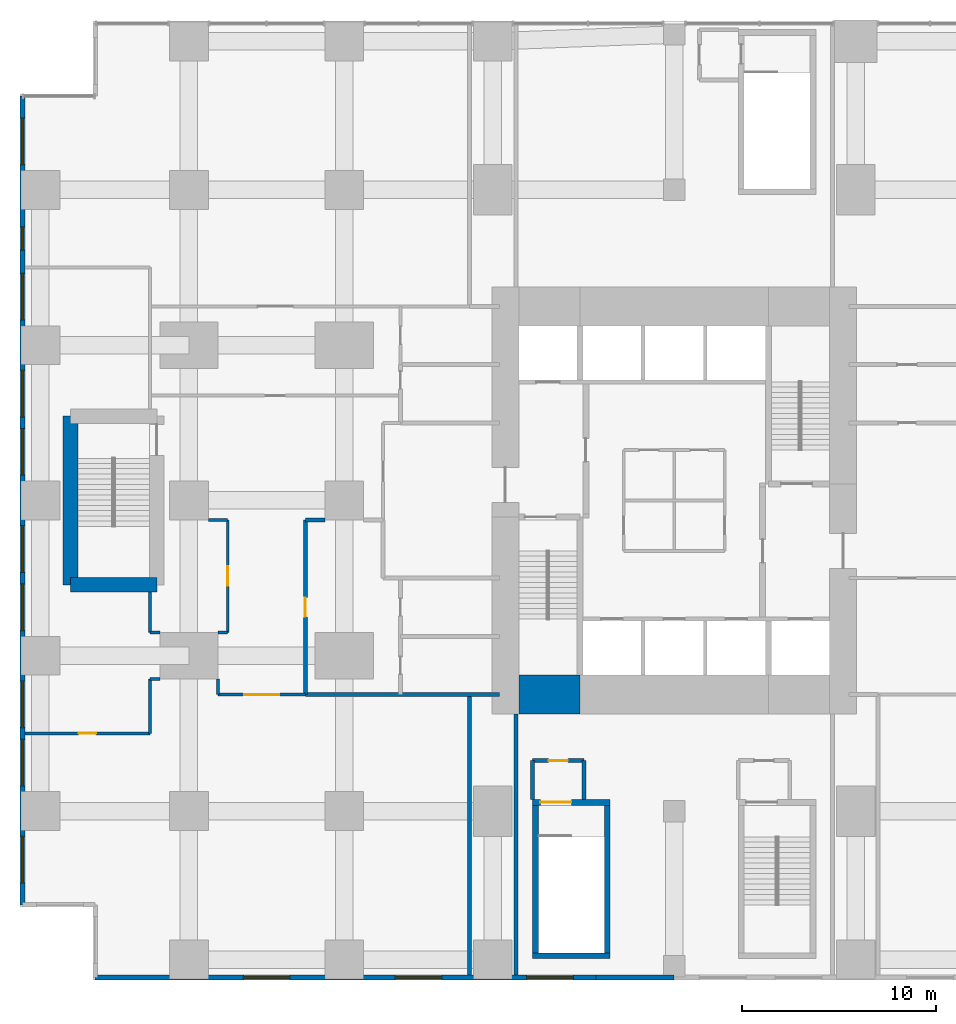
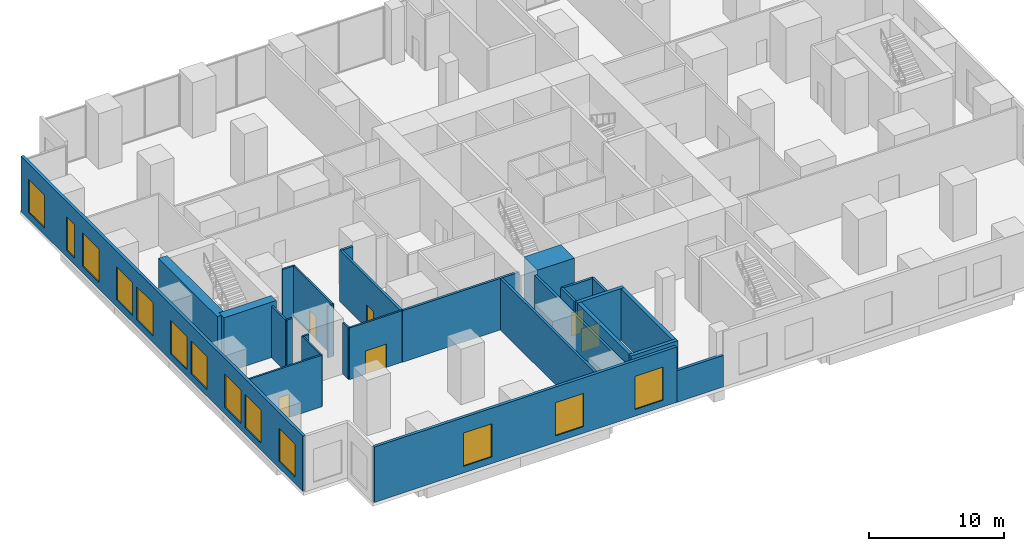
# One storey, part 6 of 11: 28 walls, 13 windows, 6 doors, 19 openings.
"""IFC4 building model written with IfcOpenShell, lengths in metres."""

from ifc_helpers import new_model, si_unit, direction, frame, frame_2d, origin, place, context, subcontext, project, spatial, rectangle, extrude, material, layer, layer_set, type_object, element, fill, save


model = new_model("IFC4")

# Units and contexts
model_context = context("Model", 3, precision=1e-05, world=origin(), true_north=direction((0.0, 1.0)))
body_context = subcontext(model_context, "Body", "Model", "MODEL_VIEW")
ifc_project = project(units=[si_unit("LENGTHUNIT", "METRE"), si_unit("AREAUNIT", "SQUARE_METRE"), si_unit("VOLUMEUNIT", "CUBIC_METRE"), si_unit("PLANEANGLEUNIT", "RADIAN"), si_unit("MASSUNIT", "GRAM", prefix="KILO")], contexts=[model_context])

# Site, building, storey
site_placement = place(None, origin())
site = spatial("IfcSite", under=ifc_project, at=site_placement, CompositionType="ELEMENT")
building_placement = place(site_placement, origin())
building = spatial("IfcBuilding", under=site, at=building_placement, Name="Cleftline Residences", CompositionType="ELEMENT")
storey_placement = place(building_placement, frame((0.0, 0.0, 21.0)))
storey = spatial("IfcBuildingStorey", under=building, at=storey_placement, Name="L04", CompositionType="ELEMENT", Elevation=21.0)

# Wall
ifc_material_1 = material(Name="Concrete B70", Category="concrete")
ifc_layer_1 = layer(ifc_material_1, 2.0)
ifc_layer_set_1 = layer_set([ifc_layer_1], Name="CORE WALL 2000")
wall_type_1 = type_object("IfcWallType", Name="CORE WALL 2000", PredefinedType="SHEAR", material=ifc_layer_set_1)
wall_1_placement = place(storey_placement, frame((25.0, 14.0, 0.0), z_axis=(0.0, 0.0, 1.0), x_axis=(1.0, 0.0, 0.0)))
element("IfcWall", 1, at=wall_1_placement, inside=storey, type_object=wall_type_1, Name="Core wall S1", PredefinedType="SHEAR", context=body_context, shape_type="SweptSolid", body=[
    extrude(rectangle(XDim=3.14990234375, YDim=2.0, at=frame_2d((1.574951171875, 0.0))), origin(), (0.0, 0.0, 1.0), 5.0),
])

# Wall, openings, windows
ifc_material_2 = material(Name="Rendered reinforced concrete blockwork", Category="masonry")
ifc_layer_2 = layer(ifc_material_2, 0.25)
ifc_layer_set_2 = layer_set([ifc_layer_2], Name="EXTERNAL WALL 250")
wall_type_2 = type_object("IfcWallType", Name="EXTERNAL WALL 250", PredefinedType="SOLIDWALL", material=ifc_layer_set_2)
wall_2_placement = place(storey_placement, frame((-0.574951171875, 44.824951171875, 0.0), z_axis=(0.0, 0.0, 1.0), x_axis=(0.0, -1.0, 0.0)))
wall_2 = element("IfcWall", 2, at=wall_2_placement, inside=storey, type_object=wall_type_2, Name="External wall", PredefinedType="SOLIDWALL", context=body_context, shape_type="SweptSolid", body=[
    extrude(rectangle(XDim=41.64990234375, YDim=0.25, at=frame_2d((20.824951171875, 0.0))), origin(), (0.0, 0.0, 1.0), 5.0),
])
opening_1_placement = place(wall_2_placement, frame((6.72509765625, 0.0, 0.60009765625)))
opening_1 = element("IfcOpeningElement", 3, at=opening_1_placement, cuts=wall_2, Name="Opening W5", PredefinedType="OPENING", context=body_context, shape_type="SweptSolid", body=[
    extrude(rectangle(XDim=1.199951171875, YDim=3.0, at=frame_2d((0.60009765625, 1.5))), frame((0.0, 0.135009765625, 0.0), z_axis=(0.0, -1.0, 0.0), x_axis=(1.0, 0.0, 0.0)), (0.0, 0.0, 1.0), 0.27001953125),
])
opening_2_placement = place(wall_2_placement, frame((1.125, 0.0, 0.60009765625)))
opening_2 = element("IfcOpeningElement", 4, at=opening_2_placement, cuts=wall_2, Name="Opening W3", PredefinedType="OPENING", context=body_context, shape_type="SweptSolid", body=[
    extrude(rectangle(XDim=2.39990234375, YDim=3.0, at=frame_2d((1.199951171875, 1.5))), frame((0.0, 0.135009765625, 0.0), z_axis=(0.0, -1.0, 0.0), x_axis=(1.0, 0.0, 0.0)), (0.0, 0.0, 1.0), 0.27001953125),
])
opening_3_placement = place(wall_2_placement, frame((9.125, 0.0, 0.60009765625)))
opening_3 = element("IfcOpeningElement", 5, at=opening_3_placement, cuts=wall_2, Name="Opening W3", PredefinedType="OPENING", context=body_context, shape_type="SweptSolid", body=[
    extrude(rectangle(XDim=2.39990234375, YDim=3.0, at=frame_2d((1.199951171875, 1.5))), frame((0.0, 0.135009765625, 0.0), z_axis=(0.0, -1.0, 0.0), x_axis=(1.0, 0.0, 0.0)), (0.0, 0.0, 1.0), 0.27001953125),
])
opening_4_placement = place(wall_2_placement, frame((14.125, 0.0, 0.60009765625)))
opening_4 = element("IfcOpeningElement", 6, at=opening_4_placement, cuts=wall_2, Name="Opening W3", PredefinedType="OPENING", context=body_context, shape_type="SweptSolid", body=[
    extrude(rectangle(XDim=2.39990234375, YDim=3.0, at=frame_2d((1.199951171875, 1.5))), frame((0.0, 0.135009765625, 0.0), z_axis=(0.0, -1.0, 0.0), x_axis=(1.0, 0.0, 0.0)), (0.0, 0.0, 1.0), 0.27001953125),
])
opening_5_placement = place(wall_2_placement, frame((17.125, 0.0, 0.60009765625)))
opening_5 = element("IfcOpeningElement", 7, at=opening_5_placement, cuts=wall_2, Name="Opening W3", PredefinedType="OPENING", context=body_context, shape_type="SweptSolid", body=[
    extrude(rectangle(XDim=2.39990234375, YDim=3.0, at=frame_2d((1.199951171875, 1.5))), frame((0.0, 0.135009765625, 0.0), z_axis=(0.0, -1.0, 0.0), x_axis=(1.0, 0.0, 0.0)), (0.0, 0.0, 1.0), 0.27001953125),
])
opening_6_placement = place(wall_2_placement, frame((22.125, 0.0, 0.60009765625)))
opening_6 = element("IfcOpeningElement", 8, at=opening_6_placement, cuts=wall_2, Name="Opening W3", PredefinedType="OPENING", context=body_context, shape_type="SweptSolid", body=[
    extrude(rectangle(XDim=2.39990234375, YDim=3.0, at=frame_2d((1.199951171875, 1.5))), frame((0.0, 0.135009765625, 0.0), z_axis=(0.0, -1.0, 0.0), x_axis=(1.0, 0.0, 0.0)), (0.0, 0.0, 1.0), 0.27001953125),
])
opening_7_placement = place(wall_2_placement, frame((25.125, 0.0, 0.60009765625)))
opening_7 = element("IfcOpeningElement", 9, at=opening_7_placement, cuts=wall_2, Name="Opening W3", PredefinedType="OPENING", context=body_context, shape_type="SweptSolid", body=[
    extrude(rectangle(XDim=2.39990234375, YDim=3.0, at=frame_2d((1.199951171875, 1.5))), frame((0.0, 0.135009765625, 0.0), z_axis=(0.0, -1.0, 0.0), x_axis=(1.0, 0.0, 0.0)), (0.0, 0.0, 1.0), 0.27001953125),
])
opening_8_placement = place(wall_2_placement, frame((30.125, 0.0, 0.60009765625)))
opening_8 = element("IfcOpeningElement", 10, at=opening_8_placement, cuts=wall_2, Name="Opening W3", PredefinedType="OPENING", context=body_context, shape_type="SweptSolid", body=[
    extrude(rectangle(XDim=2.39990234375, YDim=3.0, at=frame_2d((1.199951171875, 1.5))), frame((0.0, 0.135009765625, 0.0), z_axis=(0.0, -1.0, 0.0), x_axis=(1.0, 0.0, 0.0)), (0.0, 0.0, 1.0), 0.27001953125),
])
opening_9_placement = place(wall_2_placement, frame((33.125, 0.0, 0.60009765625)))
opening_9 = element("IfcOpeningElement", 11, at=opening_9_placement, cuts=wall_2, Name="Opening W3", PredefinedType="OPENING", context=body_context, shape_type="SweptSolid", body=[
    extrude(rectangle(XDim=2.39990234375, YDim=3.0, at=frame_2d((1.199951171875, 1.5))), frame((0.0, 0.135009765625, 0.0), z_axis=(0.0, -1.0, 0.0), x_axis=(1.0, 0.0, 0.0)), (0.0, 0.0, 1.0), 0.27001953125),
])
opening_10_placement = place(wall_2_placement, frame((38.125, 0.0, 0.60009765625)))
opening_10 = element("IfcOpeningElement", 12, at=opening_10_placement, cuts=wall_2, Name="Opening W3", PredefinedType="OPENING", context=body_context, shape_type="SweptSolid", body=[
    extrude(rectangle(XDim=2.39990234375, YDim=3.0, at=frame_2d((1.199951171875, 1.5))), frame((0.0, 0.135009765625, 0.0), z_axis=(0.0, -1.0, 0.0), x_axis=(1.0, 0.0, 0.0)), (0.0, 0.0, 1.0), 0.27001953125),
])
ifc_material_3 = material(Name="Aluminium frame, clear double glazing", Category="aluminium")
window_type_1 = type_object("IfcWindowType", Name="WINDOW 1200X3000", PartitioningType="DOUBLE_PANEL_VERTICAL", PredefinedType="WINDOW", material=ifc_material_3)
window_1_placement = place(opening_1_placement, origin())
window_1 = element("IfcWindow", 13, at=window_1_placement, inside=storey, type_object=window_type_1, Name="Window", OverallHeight=3.0, OverallWidth=1.199951171875, PartitioningType="SINGLE_PANEL", PredefinedType="WINDOW", context=body_context, shape_type="SweptSolid", body=[
    extrude(rectangle(XDim=1.199951171875, YDim=3.0, at=frame_2d((0.60009765625, 1.5))), frame((0.0, 0.030029296875, 0.0), z_axis=(0.0, -1.0, 0.0), x_axis=(1.0, 0.0, 0.0)), (0.0, 0.0, 1.0), 0.06005859375),
])
fill(opening_1, window_1)
ifc_material_4 = material(Name="Aluminium frame, clear double glazing", Category="aluminium")
window_type_2 = type_object("IfcWindowType", Name="WINDOW 2400X3000", PartitioningType="DOUBLE_PANEL_VERTICAL", PredefinedType="WINDOW", material=ifc_material_4)
window_2_placement = place(opening_2_placement, origin())
window_2 = element("IfcWindow", 14, at=window_2_placement, inside=storey, type_object=window_type_2, Name="Window", OverallHeight=3.0, OverallWidth=2.39990234375, PartitioningType="SINGLE_PANEL", PredefinedType="WINDOW", context=body_context, shape_type="SweptSolid", body=[
    extrude(rectangle(XDim=2.39990234375, YDim=3.0, at=frame_2d((1.199951171875, 1.5))), frame((0.0, 0.030029296875, 0.0), z_axis=(0.0, -1.0, 0.0), x_axis=(1.0, 0.0, 0.0)), (0.0, 0.0, 1.0), 0.06005859375),
])
fill(opening_2, window_2)
window_3_placement = place(opening_3_placement, origin())
window_3 = element("IfcWindow", 15, at=window_3_placement, inside=storey, type_object=window_type_2, Name="Window", OverallHeight=3.0, OverallWidth=2.39990234375, PartitioningType="SINGLE_PANEL", PredefinedType="WINDOW", context=body_context, shape_type="SweptSolid", body=[
    extrude(rectangle(XDim=2.39990234375, YDim=3.0, at=frame_2d((1.199951171875, 1.5))), frame((0.0, 0.030029296875, 0.0), z_axis=(0.0, -1.0, 0.0), x_axis=(1.0, 0.0, 0.0)), (0.0, 0.0, 1.0), 0.06005859375),
])
fill(opening_3, window_3)
window_4_placement = place(opening_4_placement, origin())
window_4 = element("IfcWindow", 16, at=window_4_placement, inside=storey, type_object=window_type_2, Name="Window", OverallHeight=3.0, OverallWidth=2.39990234375, PartitioningType="SINGLE_PANEL", PredefinedType="WINDOW", context=body_context, shape_type="SweptSolid", body=[
    extrude(rectangle(XDim=2.39990234375, YDim=3.0, at=frame_2d((1.199951171875, 1.5))), frame((0.0, 0.030029296875, 0.0), z_axis=(0.0, -1.0, 0.0), x_axis=(1.0, 0.0, 0.0)), (0.0, 0.0, 1.0), 0.06005859375),
])
fill(opening_4, window_4)
window_5_placement = place(opening_5_placement, origin())
window_5 = element("IfcWindow", 17, at=window_5_placement, inside=storey, type_object=window_type_2, Name="Window", OverallHeight=3.0, OverallWidth=2.39990234375, PartitioningType="SINGLE_PANEL", PredefinedType="WINDOW", context=body_context, shape_type="SweptSolid", body=[
    extrude(rectangle(XDim=2.39990234375, YDim=3.0, at=frame_2d((1.199951171875, 1.5))), frame((0.0, 0.030029296875, 0.0), z_axis=(0.0, -1.0, 0.0), x_axis=(1.0, 0.0, 0.0)), (0.0, 0.0, 1.0), 0.06005859375),
])
fill(opening_5, window_5)
window_6_placement = place(opening_6_placement, origin())
window_6 = element("IfcWindow", 18, at=window_6_placement, inside=storey, type_object=window_type_2, Name="Window", OverallHeight=3.0, OverallWidth=2.39990234375, PartitioningType="SINGLE_PANEL", PredefinedType="WINDOW", context=body_context, shape_type="SweptSolid", body=[
    extrude(rectangle(XDim=2.39990234375, YDim=3.0, at=frame_2d((1.199951171875, 1.5))), frame((0.0, 0.030029296875, 0.0), z_axis=(0.0, -1.0, 0.0), x_axis=(1.0, 0.0, 0.0)), (0.0, 0.0, 1.0), 0.06005859375),
])
fill(opening_6, window_6)
window_7_placement = place(opening_7_placement, origin())
window_7 = element("IfcWindow", 19, at=window_7_placement, inside=storey, type_object=window_type_2, Name="Window", OverallHeight=3.0, OverallWidth=2.39990234375, PartitioningType="SINGLE_PANEL", PredefinedType="WINDOW", context=body_context, shape_type="SweptSolid", body=[
    extrude(rectangle(XDim=2.39990234375, YDim=3.0, at=frame_2d((1.199951171875, 1.5))), frame((0.0, 0.030029296875, 0.0), z_axis=(0.0, -1.0, 0.0), x_axis=(1.0, 0.0, 0.0)), (0.0, 0.0, 1.0), 0.06005859375),
])
fill(opening_7, window_7)
window_8_placement = place(opening_8_placement, origin())
window_8 = element("IfcWindow", 20, at=window_8_placement, inside=storey, type_object=window_type_2, Name="Window", OverallHeight=3.0, OverallWidth=2.39990234375, PartitioningType="SINGLE_PANEL", PredefinedType="WINDOW", context=body_context, shape_type="SweptSolid", body=[
    extrude(rectangle(XDim=2.39990234375, YDim=3.0, at=frame_2d((1.199951171875, 1.5))), frame((0.0, 0.030029296875, 0.0), z_axis=(0.0, -1.0, 0.0), x_axis=(1.0, 0.0, 0.0)), (0.0, 0.0, 1.0), 0.06005859375),
])
fill(opening_8, window_8)
window_9_placement = place(opening_9_placement, origin())
window_9 = element("IfcWindow", 21, at=window_9_placement, inside=storey, type_object=window_type_2, Name="Window", OverallHeight=3.0, OverallWidth=2.39990234375, PartitioningType="SINGLE_PANEL", PredefinedType="WINDOW", context=body_context, shape_type="SweptSolid", body=[
    extrude(rectangle(XDim=2.39990234375, YDim=3.0, at=frame_2d((1.199951171875, 1.5))), frame((0.0, 0.030029296875, 0.0), z_axis=(0.0, -1.0, 0.0), x_axis=(1.0, 0.0, 0.0)), (0.0, 0.0, 1.0), 0.06005859375),
])
fill(opening_9, window_9)
window_10_placement = place(opening_10_placement, origin())
window_10 = element("IfcWindow", 22, at=window_10_placement, inside=storey, type_object=window_type_2, Name="Window", OverallHeight=3.0, OverallWidth=2.39990234375, PartitioningType="SINGLE_PANEL", PredefinedType="WINDOW", context=body_context, shape_type="SweptSolid", body=[
    extrude(rectangle(XDim=2.39990234375, YDim=3.0, at=frame_2d((1.199951171875, 1.5))), frame((0.0, 0.030029296875, 0.0), z_axis=(0.0, -1.0, 0.0), x_axis=(1.0, 0.0, 0.0)), (0.0, 0.0, 1.0), 0.06005859375),
])
fill(opening_10, window_10)

wall_3_placement = place(storey_placement, frame((3.175048828125, -0.574951171875, 0.0), z_axis=(0.0, 0.0, 1.0), x_axis=(1.0, 0.0, 0.0)))
wall_3 = element("IfcWall", 23, at=wall_3_placement, inside=storey, type_object=wall_type_2, Name="External wall", PredefinedType="SOLIDWALL", context=body_context, shape_type="SweptSolid", body=[
    extrude(rectangle(XDim=25.806640625, YDim=0.25, at=frame_2d((12.9033203125, 0.0))), origin(), (0.0, 0.0, 1.0), 5.0),
])
opening_11_placement = place(wall_3_placement, frame((7.625, 0.0, 0.60009765625)))
opening_11 = element("IfcOpeningElement", 24, at=opening_11_placement, cuts=wall_3, Name="Opening W3", PredefinedType="OPENING", context=body_context, shape_type="SweptSolid", body=[
    extrude(rectangle(XDim=2.39990234375, YDim=3.0, at=frame_2d((1.199951171875, 1.5))), frame((0.0, 0.135009765625, 0.0), z_axis=(0.0, -1.0, 0.0), x_axis=(1.0, 0.0, 0.0)), (0.0, 0.0, 1.0), 0.27001953125),
])
opening_12_placement = place(wall_3_placement, frame((15.449951171875, 0.0, 0.60009765625)))
opening_12 = element("IfcOpeningElement", 25, at=opening_12_placement, cuts=wall_3, Name="Opening W3", PredefinedType="OPENING", context=body_context, shape_type="SweptSolid", body=[
    extrude(rectangle(XDim=2.39990234375, YDim=3.0, at=frame_2d((1.199951171875, 1.5))), frame((0.0, 0.135009765625, 0.0), z_axis=(0.0, -1.0, 0.0), x_axis=(1.0, 0.0, 0.0)), (0.0, 0.0, 1.0), 0.27001953125),
])
opening_13_placement = place(wall_3_placement, frame((22.22509765625, 0.0, 0.60009765625)))
opening_13 = element("IfcOpeningElement", 26, at=opening_13_placement, cuts=wall_3, Name="Opening W3", PredefinedType="OPENING", context=body_context, shape_type="SweptSolid", body=[
    extrude(rectangle(XDim=2.39990234375, YDim=3.0, at=frame_2d((1.199951171875, 1.5))), frame((0.0, 0.135009765625, 0.0), z_axis=(0.0, -1.0, 0.0), x_axis=(1.0, 0.0, 0.0)), (0.0, 0.0, 1.0), 0.27001953125),
])
window_11_placement = place(opening_11_placement, origin())
window_11 = element("IfcWindow", 27, at=window_11_placement, inside=storey, type_object=window_type_2, Name="Window", OverallHeight=3.0, OverallWidth=2.39990234375, PartitioningType="SINGLE_PANEL", PredefinedType="WINDOW", context=body_context, shape_type="SweptSolid", body=[
    extrude(rectangle(XDim=2.39990234375, YDim=3.0, at=frame_2d((1.199951171875, 1.5))), frame((0.0, 0.030029296875, 0.0), z_axis=(0.0, -1.0, 0.0), x_axis=(1.0, 0.0, 0.0)), (0.0, 0.0, 1.0), 0.06005859375),
])
fill(opening_11, window_11)
window_12_placement = place(opening_12_placement, origin())
window_12 = element("IfcWindow", 28, at=window_12_placement, inside=storey, type_object=window_type_2, Name="Window", OverallHeight=3.0, OverallWidth=2.39990234375, PartitioningType="SINGLE_PANEL", PredefinedType="WINDOW", context=body_context, shape_type="SweptSolid", body=[
    extrude(rectangle(XDim=2.39990234375, YDim=3.0, at=frame_2d((1.199951171875, 1.5))), frame((0.0, 0.030029296875, 0.0), z_axis=(0.0, -1.0, 0.0), x_axis=(1.0, 0.0, 0.0)), (0.0, 0.0, 1.0), 0.06005859375),
])
fill(opening_12, window_12)
window_13_placement = place(opening_13_placement, origin())
window_13 = element("IfcWindow", 29, at=window_13_placement, inside=storey, type_object=window_type_2, Name="Window", OverallHeight=3.0, OverallWidth=2.39990234375, PartitioningType="SINGLE_PANEL", PredefinedType="WINDOW", context=body_context, shape_type="SweptSolid", body=[
    extrude(rectangle(XDim=2.39990234375, YDim=3.0, at=frame_2d((1.199951171875, 1.5))), frame((0.0, 0.030029296875, 0.0), z_axis=(0.0, -1.0, 0.0), x_axis=(1.0, 0.0, 0.0)), (0.0, 0.0, 1.0), 0.06005859375),
])
fill(opening_13, window_13)

# Wall
wall_4_placement = place(storey_placement, frame((28.981689453125, -0.574951171875, 0.0), z_axis=(0.0, 0.0, 1.0), x_axis=(1.0, 0.0, 0.0)))
element("IfcWall", 30, at=wall_4_placement, inside=storey, type_object=wall_type_2, Name="External wall", PredefinedType="SOLIDWALL", context=body_context, shape_type="SweptSolid", body=[
    extrude(rectangle(XDim=4.00146484375, YDim=0.25, at=frame_2d((2.000732421875, 0.0))), origin(), (0.0, 0.0, 1.0), 2.85009765625),
])

# Wall, opening, door
ifc_material_5 = material(Name="Concrete blockwork, fire rated", Category="masonry")
ifc_layer_3 = layer(ifc_material_5, 0.199951171875)
ifc_layer_set_3 = layer_set([ifc_layer_3], Name="FIRE WALL 200")
wall_type_3 = type_object("IfcWallType", Name="FIRE WALL 200", PredefinedType="PARTITIONING", material=ifc_layer_set_3)
wall_5_placement = place(storey_placement, frame((25.699951171875, 10.60009765625, 0.0), z_axis=(0.0, 0.0, 1.0), x_axis=(1.0, 0.0, 0.0)))
wall_5 = element("IfcWall", 31, at=wall_5_placement, inside=storey, type_object=wall_type_3, Name="Fire separating wall", PredefinedType="PARTITIONING", context=body_context, shape_type="SweptSolid", body=[
    extrude(rectangle(XDim=2.650146484375, YDim=0.199951171875, at=frame_2d((1.3251953125, 0.0))), origin(), (0.0, 0.0, 1.0), 4.64990234375),
])
opening_14_placement = place(wall_5_placement, frame((0.824951171875, 0.0, 0.0)))
opening_14 = element("IfcOpeningElement", 32, at=opening_14_placement, cuts=wall_5, Name="Opening D2F60", PredefinedType="OPENING", context=body_context, shape_type="SweptSolid", body=[
    extrude(rectangle(XDim=1.0, YDim=2.10009765625, at=frame_2d((0.5, 1.050048828125))), frame((0.0, 0.10986328125, 0.0), z_axis=(0.0, -1.0, 0.0), x_axis=(1.0, 0.0, 0.0)), (0.0, 0.0, 1.0), 0.219970703125),
])
ifc_material_6 = material(Name="Timber veneer on solid core", Category="wood")
door_type_1 = type_object("IfcDoorType", Name="DOOR 1000X2100 EI 60", OperationType="SINGLE_SWING_LEFT", PredefinedType="DOOR", material=ifc_material_6)
door_1_placement = place(opening_14_placement, origin())
door_1 = element("IfcDoor", 33, at=door_1_placement, inside=storey, type_object=door_type_1, Name="Door to stair c lobby", OperationType="SINGLE_SWING_LEFT", OverallHeight=2.10009765625, OverallWidth=1.0, PredefinedType="DOOR", context=body_context, shape_type="SweptSolid", body=[
    extrude(rectangle(XDim=1.0, YDim=2.10009765625, at=frame_2d((0.5, 1.050048828125))), frame((0.0, 0.02490234375, 0.0), z_axis=(0.0, -1.0, 0.0), x_axis=(1.0, 0.0, 0.0)), (0.0, 0.0, 1.0), 0.050048828125),
])
fill(opening_14, door_1)

# Walls
wall_6_placement = place(storey_placement, frame((14.0, 14.0, 0.0), z_axis=(0.0, 0.0, 1.0), x_axis=(1.0, 0.0, 0.0)))
element("IfcWall", 34, at=wall_6_placement, inside=storey, type_object=wall_type_3, Name="Fire separating wall", PredefinedType="PARTITIONING", context=body_context, shape_type="SweptSolid", body=[
    extrude(rectangle(XDim=10.0, YDim=0.199951171875, at=frame_2d((5.0, 0.0))), origin(), (0.0, 0.0, 1.0), 4.64990234375),
])
wall_7_placement = place(storey_placement, frame((14.0, 23.0, 0.0), z_axis=(0.0, 0.0, 1.0), x_axis=(1.0, 0.0, 0.0)))
element("IfcWall", 35, at=wall_7_placement, inside=storey, type_object=wall_type_3, Name="Fire separating wall", PredefinedType="PARTITIONING", context=body_context, shape_type="SweptSolid", body=[
    extrude(rectangle(XDim=1.0, YDim=0.199951171875, at=frame_2d((0.5, 0.0))), origin(), (0.0, 0.0, 1.0), 4.64990234375),
])

# Wall, opening, door
wall_8_placement = place(storey_placement, frame((14.0, 14.0, 0.0), z_axis=(0.0, 0.0, 1.0), x_axis=(0.0, 1.0, 0.0)))
wall_8 = element("IfcWall", 36, at=wall_8_placement, inside=storey, type_object=wall_type_3, Name="Fire separating wall", PredefinedType="PARTITIONING", context=body_context, shape_type="SweptSolid", body=[
    extrude(rectangle(XDim=9.0, YDim=0.199951171875, at=frame_2d((4.5, 0.0))), origin(), (0.0, 0.0, 1.0), 4.64990234375),
])
opening_15_placement = place(wall_8_placement, frame((4.0, 0.0, 0.0)))
opening_15 = element("IfcOpeningElement", 37, at=opening_15_placement, cuts=wall_8, Name="Opening D2F30", PredefinedType="OPENING", context=body_context, shape_type="SweptSolid", body=[
    extrude(rectangle(XDim=1.0, YDim=2.10009765625, at=frame_2d((0.5, 1.050048828125))), frame((0.0, 0.10986328125, 0.0), z_axis=(0.0, -1.0, 0.0), x_axis=(1.0, 0.0, 0.0)), (0.0, 0.0, 1.0), 0.219970703125),
])
ifc_material_7 = material(Name="Timber veneer on solid core", Category="wood")
door_type_2 = type_object("IfcDoorType", Name="DOOR 1000X2100 EI 30", OperationType="SINGLE_SWING_LEFT", PredefinedType="DOOR", material=ifc_material_7)
door_2_placement = place(opening_15_placement, origin())
door_2 = element("IfcDoor", 38, at=door_2_placement, inside=storey, type_object=door_type_2, Name="Door to wc lobby", OperationType="SINGLE_SWING_LEFT", OverallHeight=2.10009765625, OverallWidth=1.0, PredefinedType="DOOR", context=body_context, shape_type="SweptSolid", body=[
    extrude(rectangle(XDim=1.0, YDim=2.10009765625, at=frame_2d((0.5, 1.050048828125))), frame((0.0, 0.02490234375, 0.0), z_axis=(0.0, -1.0, 0.0), x_axis=(1.0, 0.0, 0.0)), (0.0, 0.0, 1.0), 0.050048828125),
])
fill(opening_15, door_2)

# Walls
wall_9_placement = place(storey_placement, frame((22.449951171875, -0.449951171875, 0.0), z_axis=(0.0, 0.0, 1.0), x_axis=(0.0, 1.0, 0.0)))
element("IfcWall", 39, at=wall_9_placement, inside=storey, type_object=wall_type_3, Name="Fire separating wall", PredefinedType="PARTITIONING", context=body_context, shape_type="SweptSolid", body=[
    extrude(rectangle(XDim=14.449951171875, YDim=0.199951171875, at=frame_2d((7.22509765625, 0.0))), origin(), (0.0, 0.0, 1.0), 4.64990234375),
])
wall_10_placement = place(storey_placement, frame((24.85009765625, -0.449951171875, 0.0), z_axis=(0.0, 0.0, 1.0), x_axis=(0.0, 1.0, 0.0)))
element("IfcWall", 40, at=wall_10_placement, inside=storey, type_object=wall_type_3, Name="Fire separating wall", PredefinedType="PARTITIONING", context=body_context, shape_type="SweptSolid", body=[
    extrude(rectangle(XDim=13.449951171875, YDim=0.199951171875, at=frame_2d((6.72509765625, 0.0))), origin(), (0.0, 0.0, 1.0), 4.64990234375),
])
for number, where, z_axis, x_axis, name in (
    (41, (25.699951171875, 8.60009765625, 0.0), (0.0, 0.0, 1.0), (0.0, 1.0, 0.0), "Fire separating wall"),
    (42, (28.35009765625, 8.60009765625, 0.0), (0.0, 0.0, 1.0), (0.0, 1.0, 0.0), "Fire separating wall"),
):
    element("IfcWall", number, at=place(storey_placement, frame(where, z_axis=z_axis, x_axis=x_axis)), inside=storey, type_object=wall_type_3, Name=name, PredefinedType="PARTITIONING", context=body_context, shape_type="SweptSolid", body=[
        extrude(rectangle(XDim=2.0, YDim=0.199951171875, at=frame_2d((1.0, 0.0))), origin(), (0.0, 0.0, 1.0), 4.64990234375),
    ])

# Wall, opening, door
ifc_material_8 = material(Name="Gypsum board on steel studs", Category="steel")
ifc_layer_4 = layer(ifc_material_8, 0.14990234375)
ifc_layer_set_4 = layer_set([ifc_layer_4], Name="PARTITION 150")
wall_type_4 = type_object("IfcWallType", Name="PARTITION 150", PredefinedType="PARTITIONING", material=ifc_layer_set_4)
wall_11_placement = place(storey_placement, frame((-0.449951171875, 12.0, 0.0), z_axis=(0.0, 0.0, 1.0), x_axis=(1.0, 0.0, 0.0)))
wall_11 = element("IfcWall", 43, at=wall_11_placement, inside=storey, type_object=wall_type_4, Name="Partition", PredefinedType="PARTITIONING", context=body_context, shape_type="SweptSolid", body=[
    extrude(rectangle(XDim=6.449951171875, YDim=0.14990234375, at=frame_2d((3.22509765625, 0.0))), origin(), (0.0, 0.0, 1.0), 4.64990234375),
])
opening_16_placement = place(wall_11_placement, frame((2.77490234375, 0.0, 0.0)))
opening_16 = element("IfcOpeningElement", 44, at=opening_16_placement, cuts=wall_11, Name="Opening D1", PredefinedType="OPENING", context=body_context, shape_type="SweptSolid", body=[
    extrude(rectangle(XDim=0.89990234375, YDim=2.10009765625, at=frame_2d((0.449951171875, 1.050048828125))), frame((0.0, 0.0849609375, 0.0), z_axis=(0.0, -1.0, 0.0), x_axis=(1.0, 0.0, 0.0)), (0.0, 0.0, 1.0), 0.169921875),
])
ifc_material_9 = material(Name="Timber veneer on solid core", Category="wood")
door_type_3 = type_object("IfcDoorType", Name="DOOR 900X2100", OperationType="SINGLE_SWING_LEFT", PredefinedType="DOOR", material=ifc_material_9)
door_3_placement = place(opening_16_placement, origin())
door_3 = element("IfcDoor", 45, at=door_3_placement, inside=storey, type_object=door_type_3, Name="Door to event pantry", OperationType="SINGLE_SWING_LEFT", OverallHeight=2.10009765625, OverallWidth=0.89990234375, PredefinedType="DOOR", context=body_context, shape_type="SweptSolid", body=[
    extrude(rectangle(XDim=0.89990234375, YDim=2.10009765625, at=frame_2d((0.449951171875, 1.050048828125))), frame((0.0, 0.02490234375, 0.0), z_axis=(0.0, -1.0, 0.0), x_axis=(1.0, 0.0, 0.0)), (0.0, 0.0, 1.0), 0.050048828125),
])
fill(opening_16, door_3)

wall_12_placement = place(storey_placement, frame((9.5, 14.0, 0.0), z_axis=(0.0, 0.0, 1.0), x_axis=(1.0, 0.0, 0.0)))
wall_12 = element("IfcWall", 46, at=wall_12_placement, inside=storey, type_object=wall_type_4, Name="Partition", PredefinedType="PARTITIONING", context=body_context, shape_type="SweptSolid", body=[
    extrude(rectangle(XDim=4.5, YDim=0.14990234375, at=frame_2d((2.25, 0.0))), origin(), (0.0, 0.0, 1.0), 4.64990234375),
])
opening_17_placement = place(wall_12_placement, frame((1.35009765625, 0.0, 0.0)))
opening_17 = element("IfcOpeningElement", 47, at=opening_17_placement, cuts=wall_12, Name="Opening D3", PredefinedType="OPENING", context=body_context, shape_type="SweptSolid", body=[
    extrude(rectangle(XDim=1.800048828125, YDim=2.10009765625, at=frame_2d((0.89990234375, 1.050048828125))), frame((0.0, 0.0849609375, 0.0), z_axis=(0.0, -1.0, 0.0), x_axis=(1.0, 0.0, 0.0)), (0.0, 0.0, 1.0), 0.169921875),
])
ifc_material_10 = material(Name="Timber veneer on solid core", Category="wood")
door_type_4 = type_object("IfcDoorType", Name="DOUBLE DOOR 1800X2100", OperationType="DOUBLE_DOOR_DOUBLE_SWING", PredefinedType="DOOR", material=ifc_material_10)
door_4_placement = place(opening_17_placement, origin())
door_4 = element("IfcDoor", 48, at=door_4_placement, inside=storey, type_object=door_type_4, Name="Door to residents' event lounge", OperationType="DOUBLE_DOOR_DOUBLE_SWING", OverallHeight=2.10009765625, OverallWidth=1.800048828125, PredefinedType="DOOR", context=body_context, shape_type="SweptSolid", body=[
    extrude(rectangle(XDim=1.800048828125, YDim=2.10009765625, at=frame_2d((0.89990234375, 1.050048828125))), frame((0.0, 0.02490234375, 0.0), z_axis=(0.0, -1.0, 0.0), x_axis=(1.0, 0.0, 0.0)), (0.0, 0.0, 1.0), 0.050048828125),
])
fill(opening_17, door_4)

# Walls
for number, where, z_axis, x_axis, name in (
    (49, (6.0, 14.800048828125, 0.0), (0.0, 0.0, 1.0), (1.0, 0.0, 0.0), "Partition"),
    (50, (6.0, 17.199951171875, 0.0), (0.0, 0.0, 1.0), (1.0, 0.0, 0.0), "Partition"),
    (51, (9.5, 17.199951171875, 0.0), (0.0, 0.0, 1.0), (1.0, 0.0, 0.0), "Partition"),
):
    element("IfcWall", number, at=place(storey_placement, frame(where, z_axis=z_axis, x_axis=x_axis)), inside=storey, type_object=wall_type_4, Name=name, PredefinedType="PARTITIONING", context=body_context, shape_type="SweptSolid", body=[
        extrude(rectangle(XDim=0.5, YDim=0.14990234375, at=frame_2d((0.25, 0.0))), origin(), (0.0, 0.0, 1.0), 4.64990234375),
    ])
wall_13_placement = place(storey_placement, frame((9.0, 23.0, 0.0), z_axis=(0.0, 0.0, 1.0), x_axis=(1.0, 0.0, 0.0)))
element("IfcWall", 52, at=wall_13_placement, inside=storey, type_object=wall_type_4, Name="Partition", PredefinedType="PARTITIONING", context=body_context, shape_type="SweptSolid", body=[
    extrude(rectangle(XDim=1.0, YDim=0.14990234375, at=frame_2d((0.5, 0.0))), origin(), (0.0, 0.0, 1.0), 4.64990234375),
])
wall_14_placement = place(storey_placement, frame((6.0, 12.0, 0.0), z_axis=(0.0, 0.0, 1.0), x_axis=(0.0, 1.0, 0.0)))
element("IfcWall", 53, at=wall_14_placement, inside=storey, type_object=wall_type_4, Name="Partition", PredefinedType="PARTITIONING", context=body_context, shape_type="SweptSolid", body=[
    extrude(rectangle(XDim=2.800048828125, YDim=0.14990234375, at=frame_2d((1.39990234375, 0.0))), origin(), (0.0, 0.0, 1.0), 4.64990234375),
])
wall_15_placement = place(storey_placement, frame((6.0, 17.199951171875, 0.0), z_axis=(0.0, 0.0, 1.0), x_axis=(0.0, 1.0, 0.0)))
element("IfcWall", 54, at=wall_15_placement, inside=storey, type_object=wall_type_4, Name="Partition", PredefinedType="PARTITIONING", context=body_context, shape_type="SweptSolid", body=[
    extrude(rectangle(XDim=2.074951171875, YDim=0.14990234375, at=frame_2d((1.03759765625, 0.0))), origin(), (0.0, 0.0, 1.0), 4.64990234375),
])
wall_16_placement = place(storey_placement, frame((9.5, 14.0, 0.0), z_axis=(0.0, 0.0, 1.0), x_axis=(0.0, 1.0, 0.0)))
element("IfcWall", 55, at=wall_16_placement, inside=storey, type_object=wall_type_4, Name="Partition", PredefinedType="PARTITIONING", context=body_context, shape_type="SweptSolid", body=[
    extrude(rectangle(XDim=0.800048828125, YDim=0.14990234375, at=frame_2d((0.39990234375, 0.0))), origin(), (0.0, 0.0, 1.0), 4.64990234375),
])

# Wall, opening, door
wall_17_placement = place(storey_placement, frame((10.0, 17.199951171875, 0.0), z_axis=(0.0, 0.0, 1.0), x_axis=(0.0, 1.0, 0.0)))
wall_17 = element("IfcWall", 56, at=wall_17_placement, inside=storey, type_object=wall_type_4, Name="Partition", PredefinedType="PARTITIONING", context=body_context, shape_type="SweptSolid", body=[
    extrude(rectangle(XDim=5.800048828125, YDim=0.14990234375, at=frame_2d((2.89990234375, 0.0))), origin(), (0.0, 0.0, 1.0), 4.64990234375),
])
opening_18_placement = place(wall_17_placement, frame((2.39990234375, 0.0, 0.0)))
opening_18 = element("IfcOpeningElement", 57, at=opening_18_placement, cuts=wall_17, Name="Opening D2", PredefinedType="OPENING", context=body_context, shape_type="SweptSolid", body=[
    extrude(rectangle(XDim=1.0, YDim=2.10009765625, at=frame_2d((0.5, 1.050048828125))), frame((0.0, 0.0849609375, 0.0), z_axis=(0.0, -1.0, 0.0), x_axis=(1.0, 0.0, 0.0)), (0.0, 0.0, 1.0), 0.169921875),
])
ifc_material_11 = material(Name="Timber veneer on solid core", Category="wood")
door_type_5 = type_object("IfcDoorType", Name="DOOR 1000X2100", OperationType="SINGLE_SWING_LEFT", PredefinedType="DOOR", material=ifc_material_11)
door_5_placement = place(opening_18_placement, origin())
door_5 = element("IfcDoor", 58, at=door_5_placement, inside=storey, type_object=door_type_5, Name="Door to event office", OperationType="SINGLE_SWING_LEFT", OverallHeight=2.10009765625, OverallWidth=1.0, PredefinedType="DOOR", context=body_context, shape_type="SweptSolid", body=[
    extrude(rectangle(XDim=1.0, YDim=2.10009765625, at=frame_2d((0.5, 1.050048828125))), frame((0.0, 0.02490234375, 0.0), z_axis=(0.0, -1.0, 0.0), x_axis=(1.0, 0.0, 0.0)), (0.0, 0.0, 1.0), 0.050048828125),
])
fill(opening_18, door_5)

# Walls
ifc_material_12 = material(Name="Concrete B70", Category="concrete")
ifc_layer_5 = layer(ifc_material_12, 0.75)
ifc_layer_set_5 = layer_set([ifc_layer_5], Name="SHEAR WALL 750")
wall_type_5 = type_object("IfcWallType", Name="SHEAR WALL 750", PredefinedType="SHEAR", material=ifc_layer_set_5)
wall_18_placement = place(storey_placement, frame((1.89990234375, 19.64990234375, 0.0), z_axis=(0.0, 0.0, 1.0), x_axis=(1.0, 0.0, 0.0)))
element("IfcWall", 59, at=wall_18_placement, inside=storey, type_object=wall_type_5, Name="Wing shear wall", PredefinedType="SHEAR", context=body_context, shape_type="SweptSolid", body=[
    extrude(rectangle(XDim=4.4501953125, YDim=0.75, at=frame_2d((2.22509765625, 0.0))), origin(), (0.0, 0.0, 1.0), 5.0),
])
wall_19_placement = place(storey_placement, frame((1.89990234375, 28.35009765625, 0.0), z_axis=(0.0, 0.0, 1.0), x_axis=(0.0, -1.0, 0.0)))
element("IfcWall", 60, at=wall_19_placement, inside=storey, type_object=wall_type_5, Name="Wing shear wall", PredefinedType="SHEAR", context=body_context, shape_type="SweptSolid", body=[
    extrude(rectangle(XDim=8.7001953125, YDim=0.75, at=frame_2d((4.35009765625, 0.0))), origin(), (0.0, 0.0, 1.0), 5.0),
])
ifc_material_13 = material(Name="Concrete blockwork, fire rated", Category="masonry")
ifc_layer_6 = layer(ifc_material_13, 0.300048828125)
ifc_layer_set_6 = layer_set([ifc_layer_6], Name="STAIR ENCLOSURE WALL 300")
wall_type_6 = type_object("IfcWallType", Name="STAIR ENCLOSURE WALL 300", PredefinedType="PARTITIONING", material=ifc_layer_set_6)
wall_20_placement = place(storey_placement, frame((25.699951171875, 0.550048828125, 0.0), z_axis=(0.0, 0.0, 1.0), x_axis=(1.0, 0.0, 0.0)))
element("IfcWall", 61, at=wall_20_placement, inside=storey, type_object=wall_type_6, Name="Stair C enclosure", PredefinedType="PARTITIONING", context=body_context, shape_type="SweptSolid", body=[
    extrude(rectangle(XDim=4.0, YDim=0.300048828125, at=frame_2d((2.0, 0.0))), origin(), (0.0, 0.0, 1.0), 4.64990234375),
])

# Wall, opening, door
wall_21_placement = place(storey_placement, frame((25.699951171875, 8.449951171875, 0.0), z_axis=(0.0, 0.0, 1.0), x_axis=(1.0, 0.0, 0.0)))
wall_21 = element("IfcWall", 62, at=wall_21_placement, inside=storey, type_object=wall_type_6, Name="Stair C enclosure", PredefinedType="PARTITIONING", context=body_context, shape_type="SweptSolid", body=[
    extrude(rectangle(XDim=4.0, YDim=0.300048828125, at=frame_2d((2.0, 0.0))), origin(), (0.0, 0.0, 1.0), 4.64990234375),
])
opening_19_placement = place(wall_21_placement, frame((0.39990234375, 0.0, 0.0)))
opening_19 = element("IfcOpeningElement", 63, at=opening_19_placement, cuts=wall_21, Name="Opening D9", PredefinedType="OPENING", context=body_context, shape_type="SweptSolid", body=[
    extrude(rectangle(XDim=1.60009765625, YDim=2.10009765625, at=frame_2d((0.800048828125, 1.050048828125))), frame((0.0, 0.159912109375, 0.0), z_axis=(0.0, -1.0, 0.0), x_axis=(1.0, 0.0, 0.0)), (0.0, 0.0, 1.0), 0.320068359375),
])
ifc_material_14 = material(Name="Steel", Category="steel")
door_type_6 = type_object("IfcDoorType", Name="STAIR DOOR 1600X2100", OperationType="DOUBLE_DOOR_SINGLE_SWING", PredefinedType="DOOR", material=ifc_material_14)
door_6_placement = place(opening_19_placement, origin())
door_6 = element("IfcDoor", 64, at=door_6_placement, inside=storey, type_object=door_type_6, Name="Stair C door", OperationType="DOUBLE_DOOR_SINGLE_SWING", OverallHeight=2.10009765625, OverallWidth=1.60009765625, PredefinedType="DOOR", context=body_context, shape_type="SweptSolid", body=[
    extrude(rectangle(XDim=1.60009765625, YDim=2.10009765625, at=frame_2d((0.800048828125, 1.050048828125))), frame((0.0, 0.02490234375, 0.0), z_axis=(0.0, -1.0, 0.0), x_axis=(1.0, 0.0, 0.0)), (0.0, 0.0, 1.0), 0.050048828125),
])
fill(opening_19, door_6)

# Walls
for number, where, z_axis, x_axis, name in (
    (65, (25.85009765625, 0.699951171875, 0.0), (0.0, 0.0, 1.0), (0.0, 1.0, 0.0), "Stair C enclosure"),
    (66, (29.550048828125, 0.699951171875, 0.0), (0.0, 0.0, 1.0), (0.0, 1.0, 0.0), "Stair C enclosure"),
):
    element("IfcWall", number, at=place(storey_placement, frame(where, z_axis=z_axis, x_axis=x_axis)), inside=storey, type_object=wall_type_6, Name=name, PredefinedType="PARTITIONING", context=body_context, shape_type="SweptSolid", body=[
        extrude(rectangle(XDim=7.60009765625, YDim=0.300048828125, at=frame_2d((3.800048828125, 0.0))), origin(), (0.0, 0.0, 1.0), 4.64990234375),
    ])

save(model, "model.ifc")
